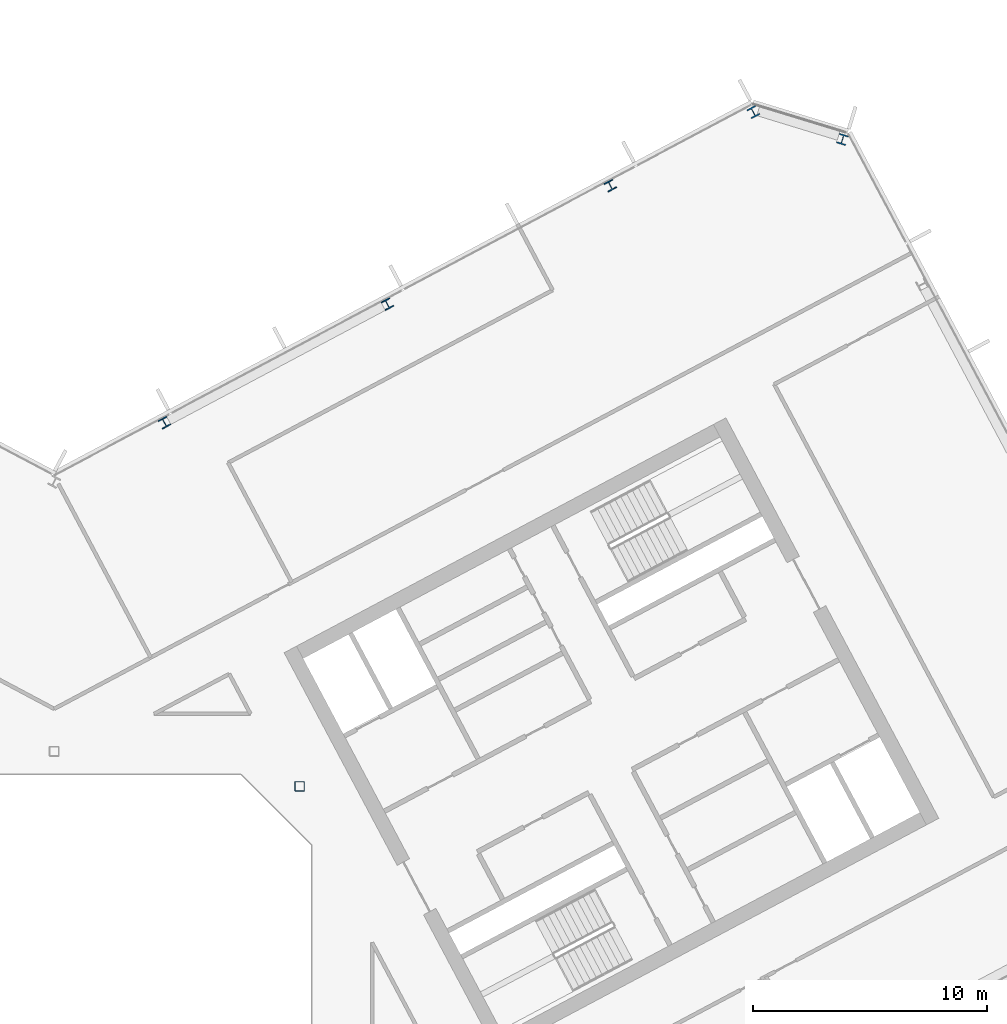
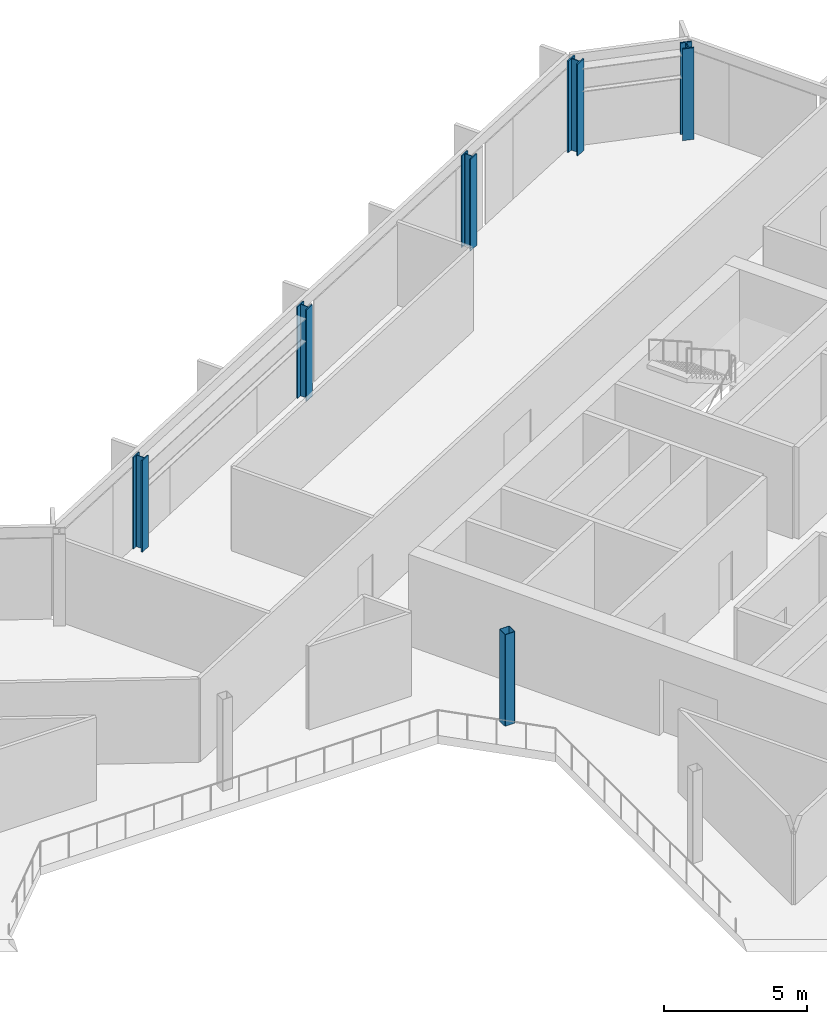
# One storey, part 6 of 27: 6 columns.
"""IFC4 building model written with IfcOpenShell, lengths in metres."""

from ifc_helpers import new_model, si_unit, direction, frame, origin, origin_2d, place, context, subcontext, project, spatial, hollow_rectangle, i_section, extrude, material, material_profile, profile_set, type_object, element, save


model = new_model("IFC4")

# Units and contexts
model_context = context("Model", 3, precision=1e-05, world=origin(), true_north=direction((0.0, 1.0)))
body_context = subcontext(model_context, "Body", "Model", "MODEL_VIEW")
ifc_project = project(units=[si_unit("LENGTHUNIT", "METRE"), si_unit("AREAUNIT", "SQUARE_METRE"), si_unit("VOLUMEUNIT", "CUBIC_METRE"), si_unit("PLANEANGLEUNIT", "RADIAN"), si_unit("MASSUNIT", "GRAM", prefix="KILO")], contexts=[model_context])

# Site, building, storey
site_placement = place(None, origin())
site = spatial("IfcSite", under=ifc_project, at=site_placement, CompositionType="ELEMENT")
building_placement = place(site_placement, origin())
building = spatial("IfcBuilding", under=site, at=building_placement, Name="Cormorant Relay Tower", CompositionType="ELEMENT")
storey_placement = place(building_placement, frame((0.0, 0.0, 232.5)))
storey = spatial("IfcBuildingStorey", under=building, at=storey_placement, Name="L51", CompositionType="ELEMENT", Elevation=232.5)

# Columns
ifc_material_1 = material(Name="Steel ASTM A500 Grade C (Fy 345 MPa)", Category="steel")
ifc_material_profile_1 = material_profile(ifc_material_1, hollow_rectangle(XDim=0.406494140625, YDim=0.406494140625, WallThickness=0.0146484375, InnerFilletRadius=0.00732421875, OuterFilletRadius=0.022216796875, at=origin_2d()), Name="HSS406x406x15")
ifc_profile_set_1 = profile_set([ifc_material_profile_1], Name="Steel ASTM A500 Grade C (Fy 345 MPa)")
column_type_1 = type_object("IfcColumnType", Name="Column HSS406x406x15", PredefinedType="COLUMN", material=ifc_profile_set_1)
column_placement = place(storey_placement, frame((10.5, 10.5, 0.0), z_axis=(0.0, 0.0, 1.0), x_axis=(1.0, 0.0, 0.0)))
element("IfcColumn", 1, at=column_placement, inside=storey, type_object=column_type_1, Name="Column L51-024", PredefinedType="COLUMN", context=body_context, shape_type="SweptSolid", body=[
    extrude(hollow_rectangle(XDim=0.406494140625, YDim=0.406494140625, WallThickness=0.0146484375, InnerFilletRadius=0.00732421875, OuterFilletRadius=0.022216796875, at=origin_2d()), origin(), (0.0, 0.0, 1.0), 3.89990234375),
])
ifc_material_2 = material(Name="Steel ASTM A992 (Fy 345 MPa)", Category="steel")
ifc_material_profile_2 = material_profile(ifc_material_2, i_section(OverallWidth=0.40380859375, OverallDepth=0.406494140625, WebThickness=0.027099609375, FlangeThickness=0.043701171875, FilletRadius=0.01513671875, at=origin_2d()), Name="W360x347")
ifc_profile_set_2 = profile_set([ifc_material_profile_2], Name="Steel ASTM A992 (Fy 345 MPa)")
column_type_2 = type_object("IfcColumnType", Name="Column W360x347", PredefinedType="COLUMN", material=ifc_profile_set_2)
for number, where, z_axis, x_axis, name in (
    (2, (4.719970703125, 26.055908203125, 0.0), (0.0, 0.0, 1.0), (-0.882947592859, -0.469471562786, 0.0), "Column L51-032"),
    (3, (14.256103515625, 31.1259765625, 0.0), (0.0, 0.0, 1.0), (-0.882947592859, -0.469471562786, 0.0), "Column L51-035"),
    (4, (23.7919921875, 36.196044921875, 0.0), (0.0, 0.0, 1.0), (-0.882947592859, -0.469471562786, 0.0), "Column L51-039"),
):
    element("IfcColumn", number, at=place(storey_placement, frame(where, z_axis=z_axis, x_axis=x_axis)), inside=storey, type_object=column_type_2, Name=name, PredefinedType="COLUMN", context=body_context, shape_type="SweptSolid", body=[
        extrude(i_section(OverallWidth=0.40380859375, OverallDepth=0.406494140625, WebThickness=0.027099609375, FlangeThickness=0.043701171875, FilletRadius=0.01513671875, at=origin_2d()), origin(), (0.0, 0.0, 1.0), 3.89990234375),
    ])
ifc_material_3 = material(Name="Steel ASTM A992 (Fy 345 MPa)", Category="steel")
ifc_material_profile_3 = material_profile(ifc_material_3, i_section(OverallWidth=0.41162109375, OverallDepth=0.434326171875, WebThickness=0.035888671875, FlangeThickness=0.057373046875, FilletRadius=0.01513671875, at=origin_2d()), Name="W360x463")
ifc_profile_set_3 = profile_set([ifc_material_profile_3], Name="Steel ASTM A992 (Fy 345 MPa)")
column_type_3 = type_object("IfcColumnType", Name="Column W360x463", PredefinedType="COLUMN", material=ifc_profile_set_3)
for number, where, z_axis, x_axis, name in (
    (5, (33.720947265625, 38.173095703125, 0.0), (0.0, 0.0, 1.0), (-0.956304755963, 0.292371704723, 0.0), "Column L51-041"),
    (6, (29.905029296875, 39.340087890625, 0.0), (0.0, 0.0, 1.0), (-0.882947592859, -0.469471562786, 0.0), "Column L51-043"),
):
    element("IfcColumn", number, at=place(storey_placement, frame(where, z_axis=z_axis, x_axis=x_axis)), inside=storey, type_object=column_type_3, Name=name, PredefinedType="COLUMN", context=body_context, shape_type="SweptSolid", body=[
        extrude(i_section(OverallWidth=0.41162109375, OverallDepth=0.434326171875, WebThickness=0.035888671875, FlangeThickness=0.057373046875, FilletRadius=0.01513671875, at=origin_2d()), origin(), (0.0, 0.0, 1.0), 3.89990234375),
    ])

save(model, "model.ifc")
